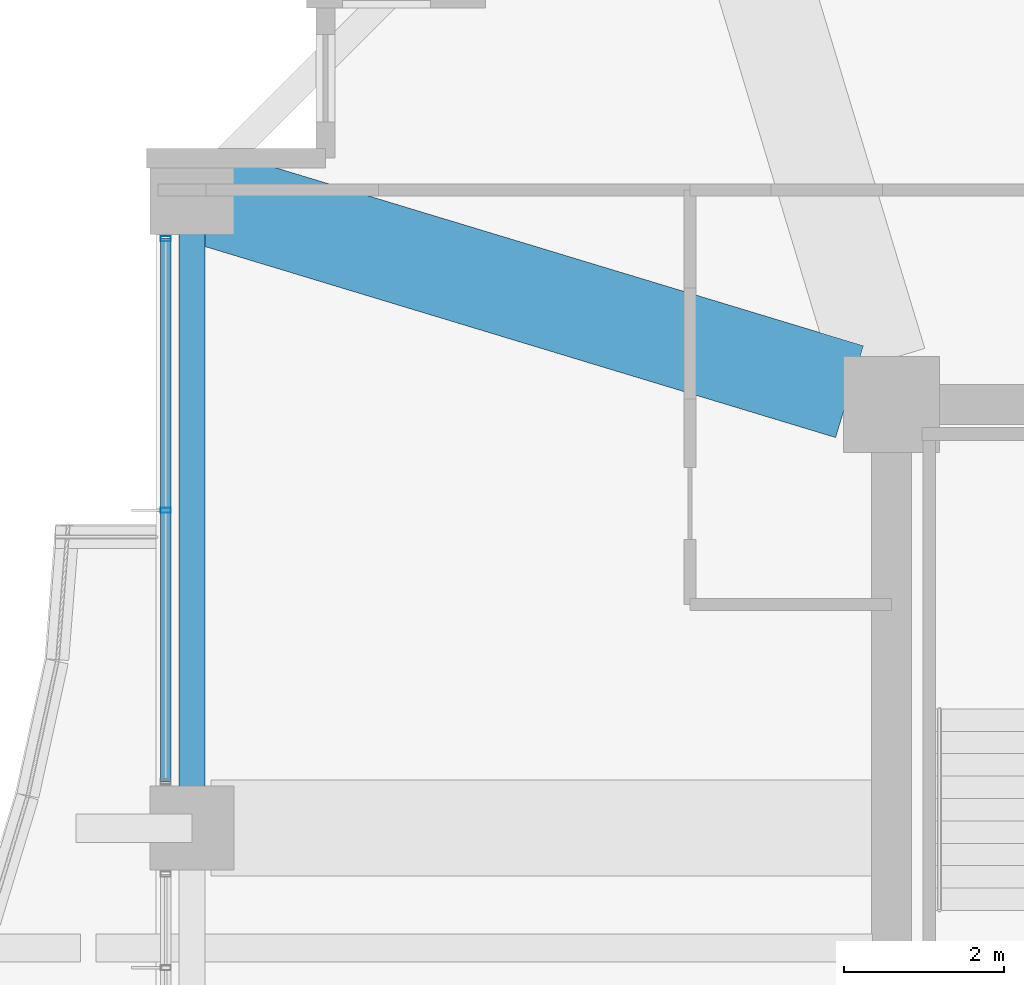
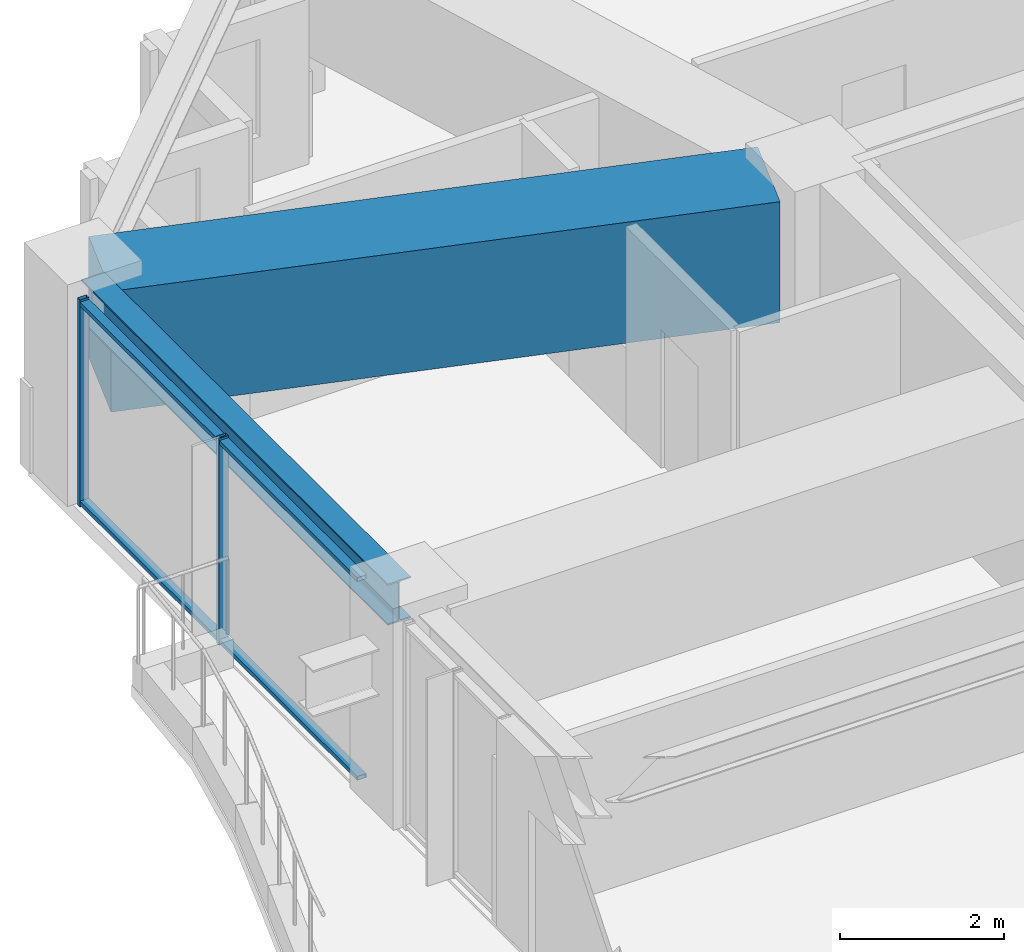
# One storey, part 12 of 36: 4 members, 2 beams, 1 element without a shape of its own.
"""IFC4 building model written with IfcOpenShell, lengths in metres."""

from ifc_helpers import new_model, si_unit, direction, frame, origin, origin_2d, place, context, subcontext, project, spatial, rectangle, hollow_rectangle, i_section, extrude, material, material_profile, profile_set, type_object, element, aggregate, save


model = new_model("IFC4")

# Units and contexts
model_context = context("Model", 3, precision=1e-05, world=origin(), true_north=direction((0.0, 1.0)))
body_context = subcontext(model_context, "Body", "Model", "MODEL_VIEW")
ifc_project = project(units=[si_unit("LENGTHUNIT", "METRE"), si_unit("AREAUNIT", "SQUARE_METRE"), si_unit("VOLUMEUNIT", "CUBIC_METRE"), si_unit("PLANEANGLEUNIT", "RADIAN"), si_unit("MASSUNIT", "GRAM", prefix="KILO")], contexts=[model_context])

# Site, building, storey
site_placement = place(None, origin())
site = spatial("IfcSite", under=ifc_project, at=site_placement, CompositionType="ELEMENT")
building_placement = place(site_placement, origin())
building = spatial("IfcBuilding", under=site, at=building_placement, Name="Kolvaren Belvedere", CompositionType="ELEMENT")
storey_placement = place(building_placement, frame((0.0, 0.0, 108.5)))
storey = spatial("IfcBuildingStorey", under=building, at=storey_placement, Name="L31", CompositionType="ELEMENT", Elevation=108.5)

# Beams
ifc_material_1 = material(Name="Structural steel ASTM A992 Grade 50", Category="steel")
ifc_material_profile_1 = material_profile(ifc_material_1, i_section(OverallWidth=0.324951171875, OverallDepth=0.615966796875, WebThickness=0.013916015625, FlangeThickness=0.021484375, FilletRadius=0.02001953125, at=origin_2d()), Name="W24X117")
ifc_profile_set_1 = profile_set([ifc_material_profile_1], Name="Structural steel ASTM A992 Grade 50")
beam_type_1 = type_object("IfcBeamType", Name="BM-SPAN-W24X117", PredefinedType="SPANDREL", material=ifc_profile_set_1)
beam_1_placement = place(storey_placement, frame((-18.64990234375, 12.313720703125, 2.77197265625), z_axis=(0.0, -1.0, 0.0), x_axis=(1.0, 0.0, 0.0)))
element("IfcBeam", 1, at=beam_1_placement, inside=storey, type_object=beam_type_1, Name="L31 Perimeter Spandrel W4-W3", PredefinedType="SPANDREL", context=body_context, shape_type="SweptSolid", body=[
    extrude(i_section(OverallWidth=0.324951171875, OverallDepth=0.615966796875, WebThickness=0.013916015625, FlangeThickness=0.021484375, FilletRadius=0.02001953125, at=origin_2d()), origin(), (0.0, 0.0, 1.0), 7.4775390625),
])
ifc_material_2 = material(Name="Concrete C50/60", Category="concrete")
ifc_material_profile_2 = material_profile(ifc_material_2, rectangle(XDim=1.199951171875, YDim=1.800048828125, at=origin_2d()), Name="RC 1200X1800")
ifc_profile_set_2 = profile_set([ifc_material_profile_2], Name="Concrete C50/60")
beam_type_2 = type_object("IfcBeamType", Name="BM-TG-1800", PredefinedType="BEAM", material=ifc_profile_set_2)
beam_2_placement = place(storey_placement, frame((-10.426513671875, 10.059326171875, 2.179931640625), z_axis=(-0.957069465398, 0.289858652454, 0.0), x_axis=(-0.289858652454, -0.957069465398, 0.0)))
element("IfcBeam", 2, at=beam_2_placement, inside=storey, type_object=beam_type_2, Name="L31 Corner Core-to-Perimeter Girder CC4-W4", PredefinedType="BEAM", context=body_context, shape_type="SweptSolid", body=[
    extrude(rectangle(XDim=1.199951171875, YDim=1.800048828125, at=origin_2d()), origin(), (0.0, 0.0, 1.0), 8.38232421875),
])

# Curtain wall, members
ifc_material_3 = material(Name="Anodised pale-metal aluminium AA 6063-T6", Category="aluminium")
curtain_wall_type = type_object("IfcCurtainWallType", Name="CW-Z3-WAIST", PredefinedType="NOTDEFINED", material=ifc_material_3)
curtain_wall_placement = place(storey_placement, origin())
curtain_wall = element("IfcCurtainWall", 3, at=curtain_wall_placement, inside=storey, type_object=curtain_wall_type, Name="L31 Unitised Curtain Wall FCW-L31-W2-B2", PredefinedType="NOTDEFINED")
ifc_material_4 = material(Name="Anodised pale-metal aluminium AA 6063-T6", Category="aluminium")
ifc_material_profile_3 = material_profile(ifc_material_4, hollow_rectangle(XDim=0.06494140625, YDim=0.1298828125, WallThickness=0.00390625, at=origin_2d()), Name="ALU-MUL-130X65")
ifc_profile_set_3 = profile_set([ifc_material_profile_3], Name="Anodised pale-metal aluminium AA 6063-T6")
member_type_1 = type_object("IfcMemberType", Name="CW-MUL-130", PredefinedType="MULLION", material=ifc_profile_set_3)
member_1_placement = place(storey_placement, frame((-18.97998046875, 8.574951171875, 0.0), z_axis=(0.0, 0.0, 1.0), x_axis=(0.0, 1.0, 0.0)))
member_1 = element("IfcMember", 4, at=member_1_placement, type_object=member_type_1, Name="FCW-L31-W2-B2 Unitised Mullion 2", PredefinedType="MULLION", context=body_context, shape_type="SweptSolid", body=[
    extrude(hollow_rectangle(XDim=0.06494140625, YDim=0.1298828125, WallThickness=0.00390625, at=origin_2d()), origin(), (0.0, 0.0, 1.0), 3.080078125),
])
member_2_placement = place(storey_placement, frame((-18.97998046875, 11.972412109375, 0.0), z_axis=(0.0, 0.0, 1.0), x_axis=(0.0, 1.0, 0.0)))
member_2 = element("IfcMember", 5, at=member_2_placement, type_object=member_type_1, Name="FCW-L31-W2-B2 Unitised Mullion 3", PredefinedType="MULLION", context=body_context, shape_type="SweptSolid", body=[
    extrude(hollow_rectangle(XDim=0.06494140625, YDim=0.1298828125, WallThickness=0.00390625, at=origin_2d()), origin(), (0.0, 0.0, 1.0), 3.080078125),
])
ifc_material_5 = material(Name="Anodised pale-metal aluminium AA 6063-T6", Category="aluminium")
ifc_material_profile_4 = material_profile(ifc_material_5, hollow_rectangle(XDim=0.06005859375, YDim=0.1298828125, WallThickness=0.00390625, at=origin_2d()), Name="ALU-TRN-130X60")
ifc_profile_set_4 = profile_set([ifc_material_profile_4], Name="Anodised pale-metal aluminium AA 6063-T6")
member_type_2 = type_object("IfcMemberType", Name="CW-TRN-130", PredefinedType="USERDEFINED", material=ifc_profile_set_4)
member_3_placement = place(storey_placement, frame((-18.97998046875, 5.177490234375, 0.06005859375), z_axis=(0.0, 1.0, 0.0), x_axis=(0.0, 0.0, 1.0)))
member_3 = element("IfcMember", 6, at=member_3_placement, type_object=member_type_2, Name="FCW-L31-W2-B2 Sill Transom", ObjectType="TRANSOM", PredefinedType="USERDEFINED", context=body_context, shape_type="SweptSolid", body=[
    extrude(hollow_rectangle(XDim=0.06005859375, YDim=0.1298828125, WallThickness=0.00390625, at=origin_2d()), origin(), (0.0, 0.0, 1.0), 6.794921875),
])
member_4_placement = place(storey_placement, frame((-18.97998046875, 5.177490234375, 3.02001953125), z_axis=(0.0, 1.0, 0.0), x_axis=(0.0, 0.0, 1.0)))
member_4 = element("IfcMember", 7, at=member_4_placement, type_object=member_type_2, Name="FCW-L31-W2-B2 Head Transom", ObjectType="TRANSOM", PredefinedType="USERDEFINED", context=body_context, shape_type="SweptSolid", body=[
    extrude(hollow_rectangle(XDim=0.06005859375, YDim=0.1298828125, WallThickness=0.00390625, at=origin_2d()), origin(), (0.0, 0.0, 1.0), 6.794921875),
])
aggregate(curtain_wall, [member_1, member_2, member_3, member_4])

save(model, "model.ifc")
